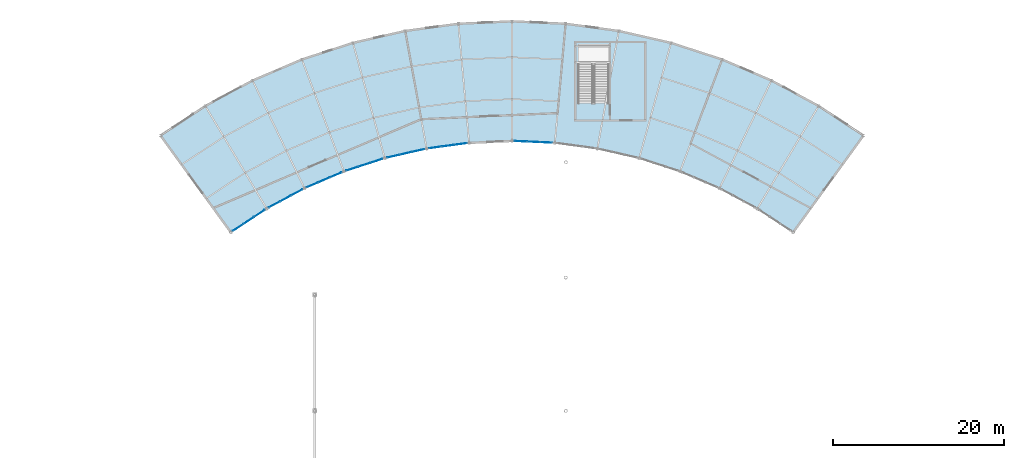
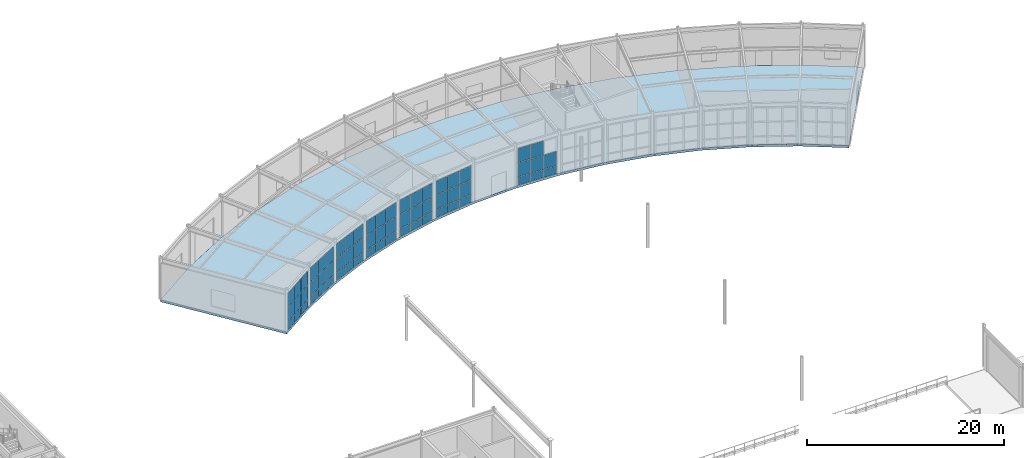
# One storey, part 58 of 87: 62 plates, 1 slab, 7 elements without a shape of their own.
"""IFC4 building model written with IfcOpenShell, lengths in metres."""

from ifc_helpers import new_model, si_unit, direction, frame, origin, origin_2d, place, context, subcontext, project, spatial, polyline, rectangle, outline, extrude, material, layer, layer_set, type_object, element, aggregate, save


model = new_model("IFC4")

# Units and contexts
model_context = context("Model", 3, precision=1e-05, world=origin(), true_north=direction((0.0, 1.0)))
body_context = subcontext(model_context, "Body", "Model", "MODEL_VIEW")
ifc_project = project(units=[si_unit("LENGTHUNIT", "METRE"), si_unit("AREAUNIT", "SQUARE_METRE"), si_unit("VOLUMEUNIT", "CUBIC_METRE"), si_unit("PLANEANGLEUNIT", "RADIAN"), si_unit("MASSUNIT", "GRAM", prefix="KILO")], contexts=[model_context])

# Site, building, storey
site_placement = place(None, origin())
site = spatial("IfcSite", under=ifc_project, at=site_placement, CompositionType="ELEMENT")
building_placement = place(site_placement, origin())
building = spatial("IfcBuilding", under=site, at=building_placement, Name="Selat Folded Stagehouse", CompositionType="ELEMENT")
storey_placement = place(building_placement, origin())
storey = spatial("IfcBuildingStorey", under=building, at=storey_placement, Name="L00", CompositionType="ELEMENT", Elevation=0.0)

# Curtain wall, plates
ifc_material_1 = material(Name="Aluminium 6063-T6", Category="aluminium")
ifc_layer_1 = layer(ifc_material_1, 0.18994140625)
ifc_layer_set_1 = layer_set([ifc_layer_1], Name="Aluminium 6063-T6")
curtain_wall_type = type_object("IfcCurtainWallType", Name="CW-REH-ARC", PredefinedType="NOTDEFINED", material=ifc_layer_set_1)
curtain_wall_1_placement = place(storey_placement, origin())
curtain_wall_1 = element("IfcCurtainWall", 1, at=curtain_wall_1_placement, inside=storey, type_object=curtain_wall_type, Name="L00 curtain wall CW-REH-L00-00", PredefinedType="NOTDEFINED")
ifc_material_2 = material(Name="Laminated low-E double glazing", Category="glass")
ifc_layer_2 = layer(ifc_material_2, 0.031982421875)
ifc_layer_set_2 = layer_set([ifc_layer_2], Name="Laminated low-E double glazing")
plate_type = type_object("IfcPlateType", Name="CWP-GLZ-DGU32", PredefinedType="CURTAIN_PANEL", material=ifc_layer_set_2)
plate_1_placement = place(storey_placement, frame((62.8271484375, 85.51171875, 0.06494140625), z_axis=(0.0, 0.0, 1.0), x_axis=(-0.834581363399, -0.550884695619, 0.0)))
plate_1 = element("IfcPlate", 2, at=plate_1_placement, type_object=plate_type, Name="CW-06 panel 1.1", PredefinedType="CURTAIN_PANEL", context=body_context, shape_type="SweptSolid", body=[
    extrude(rectangle(XDim=1.418212890625, YDim=0.031982421875, at=origin_2d()), origin(), (0.0, 0.0, 1.0), 0.952392578125),
])
plate_2_placement = place(storey_placement, frame((62.8271484375, 85.51171875, 1.08251953125), z_axis=(0.0, 0.0, 1.0), x_axis=(-0.834581363399, -0.550884695619, 0.0)))
plate_2 = element("IfcPlate", 3, at=plate_2_placement, type_object=plate_type, Name="CW-06 panel 1.2", PredefinedType="CURTAIN_PANEL", context=body_context, shape_type="SweptSolid", body=[
    extrude(rectangle(XDim=1.418212890625, YDim=0.031982421875, at=origin_2d()), origin(), (0.0, 0.0, 1.0), 1.735107421875),
])
plate_3_placement = place(storey_placement, frame((62.8271484375, 85.51171875, 2.88232421875), z_axis=(0.0, 0.0, 1.0), x_axis=(-0.834581363399, -0.550884695619, 0.0)))
plate_3 = element("IfcPlate", 4, at=plate_3_placement, type_object=plate_type, Name="CW-06 panel 1.3", PredefinedType="CURTAIN_PANEL", context=body_context, shape_type="SweptSolid", body=[
    extrude(rectangle(XDim=1.418212890625, YDim=0.031982421875, at=origin_2d()), origin(), (0.0, 0.0, 1.0), 1.702392578125),
])
plate_4_placement = place(storey_placement, frame((61.580810546875, 84.68896484375, 0.06494140625), z_axis=(0.0, 0.0, 1.0), x_axis=(-0.834581363399, -0.550884695619, 0.0)))
plate_4 = element("IfcPlate", 5, at=plate_4_placement, type_object=plate_type, Name="CW-06 panel 2.1", PredefinedType="CURTAIN_PANEL", context=body_context, shape_type="SweptSolid", body=[
    extrude(rectangle(XDim=1.4482421875, YDim=0.031982421875, at=origin_2d()), origin(), (0.0, 0.0, 1.0), 0.952392578125),
])
plate_5_placement = place(storey_placement, frame((61.580810546875, 84.68896484375, 1.08251953125), z_axis=(0.0, 0.0, 1.0), x_axis=(-0.834581363399, -0.550884695619, 0.0)))
plate_5 = element("IfcPlate", 6, at=plate_5_placement, type_object=plate_type, Name="CW-06 panel 2.2", PredefinedType="CURTAIN_PANEL", context=body_context, shape_type="SweptSolid", body=[
    extrude(rectangle(XDim=1.4482421875, YDim=0.031982421875, at=origin_2d()), origin(), (0.0, 0.0, 1.0), 1.735107421875),
])
plate_6_placement = place(storey_placement, frame((61.580810546875, 84.68896484375, 2.88232421875), z_axis=(0.0, 0.0, 1.0), x_axis=(-0.834581363399, -0.550884695619, 0.0)))
plate_6 = element("IfcPlate", 7, at=plate_6_placement, type_object=plate_type, Name="CW-06 panel 2.3", PredefinedType="CURTAIN_PANEL", context=body_context, shape_type="SweptSolid", body=[
    extrude(rectangle(XDim=1.4482421875, YDim=0.031982421875, at=origin_2d()), origin(), (0.0, 0.0, 1.0), 1.702392578125),
])
plate_7_placement = place(storey_placement, frame((60.33447265625, 83.866455078125, 0.06494140625), z_axis=(0.0, 0.0, 1.0), x_axis=(-0.834581363399, -0.550884695619, 0.0)))
plate_7 = element("IfcPlate", 8, at=plate_7_placement, type_object=plate_type, Name="CW-06 panel 3.1", PredefinedType="CURTAIN_PANEL", context=body_context, shape_type="SweptSolid", body=[
    extrude(rectangle(XDim=1.418212890625, YDim=0.031982421875, at=origin_2d()), origin(), (0.0, 0.0, 1.0), 0.952392578125),
])
plate_8_placement = place(storey_placement, frame((60.33447265625, 83.866455078125, 1.08251953125), z_axis=(0.0, 0.0, 1.0), x_axis=(-0.834581363399, -0.550884695619, 0.0)))
plate_8 = element("IfcPlate", 9, at=plate_8_placement, type_object=plate_type, Name="CW-06 panel 3.2", PredefinedType="CURTAIN_PANEL", context=body_context, shape_type="SweptSolid", body=[
    extrude(rectangle(XDim=1.418212890625, YDim=0.031982421875, at=origin_2d()), origin(), (0.0, 0.0, 1.0), 1.735107421875),
])
plate_9_placement = place(storey_placement, frame((60.33447265625, 83.866455078125, 2.88232421875), z_axis=(0.0, 0.0, 1.0), x_axis=(-0.834581363399, -0.550884695619, 0.0)))
plate_9 = element("IfcPlate", 10, at=plate_9_placement, type_object=plate_type, Name="CW-06 panel 3.3", PredefinedType="CURTAIN_PANEL", context=body_context, shape_type="SweptSolid", body=[
    extrude(rectangle(XDim=1.418212890625, YDim=0.031982421875, at=origin_2d()), origin(), (0.0, 0.0, 1.0), 1.702392578125),
])
aggregate(curtain_wall_1, [plate_1, plate_2, plate_3, plate_4, plate_5, plate_6, plate_7, plate_8, plate_9])

curtain_wall_2_placement = place(storey_placement, origin())
curtain_wall_2 = element("IfcCurtainWall", 11, at=curtain_wall_2_placement, inside=storey, type_object=curtain_wall_type, Name="L00 curtain wall CW-REH-L00-01", PredefinedType="NOTDEFINED")
plate_10_placement = place(storey_placement, frame((67.205078125, 87.971435546875, 0.06494140625), z_axis=(0.0, 0.0, 1.0), x_axis=(-0.880600927119, -0.473858636259, 0.0)))
plate_10 = element("IfcPlate", 12, at=plate_10_placement, type_object=plate_type, Name="CW-06 panel 1.1", PredefinedType="CURTAIN_PANEL", context=body_context, shape_type="SweptSolid", body=[
    extrude(rectangle(XDim=1.418212890625, YDim=0.031982421875, at=origin_2d()), origin(), (0.0, 0.0, 1.0), 0.952392578125),
])
plate_11_placement = place(storey_placement, frame((67.205078125, 87.971435546875, 1.08251953125), z_axis=(0.0, 0.0, 1.0), x_axis=(-0.880600927119, -0.473858636259, 0.0)))
plate_11 = element("IfcPlate", 13, at=plate_11_placement, type_object=plate_type, Name="CW-06 panel 1.2", PredefinedType="CURTAIN_PANEL", context=body_context, shape_type="SweptSolid", body=[
    extrude(rectangle(XDim=1.418212890625, YDim=0.031982421875, at=origin_2d()), origin(), (0.0, 0.0, 1.0), 1.735107421875),
])
plate_12_placement = place(storey_placement, frame((67.205078125, 87.971435546875, 2.88232421875), z_axis=(0.0, 0.0, 1.0), x_axis=(-0.880600927119, -0.473858636259, 0.0)))
plate_12 = element("IfcPlate", 14, at=plate_12_placement, type_object=plate_type, Name="CW-06 panel 1.3", PredefinedType="CURTAIN_PANEL", context=body_context, shape_type="SweptSolid", body=[
    extrude(rectangle(XDim=1.418212890625, YDim=0.031982421875, at=origin_2d()), origin(), (0.0, 0.0, 1.0), 1.702392578125),
])
plate_13_placement = place(storey_placement, frame((65.89013671875, 87.263671875, 0.06494140625), z_axis=(0.0, 0.0, 1.0), x_axis=(-0.880600927119, -0.473858636259, 0.0)))
plate_13 = element("IfcPlate", 15, at=plate_13_placement, type_object=plate_type, Name="CW-06 panel 2.1", PredefinedType="CURTAIN_PANEL", context=body_context, shape_type="SweptSolid", body=[
    extrude(rectangle(XDim=1.4482421875, YDim=0.031982421875, at=origin_2d()), origin(), (0.0, 0.0, 1.0), 0.952392578125),
])
plate_14_placement = place(storey_placement, frame((65.89013671875, 87.263671875, 1.08251953125), z_axis=(0.0, 0.0, 1.0), x_axis=(-0.880600927119, -0.473858636259, 0.0)))
plate_14 = element("IfcPlate", 16, at=plate_14_placement, type_object=plate_type, Name="CW-06 panel 2.2", PredefinedType="CURTAIN_PANEL", context=body_context, shape_type="SweptSolid", body=[
    extrude(rectangle(XDim=1.4482421875, YDim=0.031982421875, at=origin_2d()), origin(), (0.0, 0.0, 1.0), 1.735107421875),
])
plate_15_placement = place(storey_placement, frame((65.89013671875, 87.263671875, 2.88232421875), z_axis=(0.0, 0.0, 1.0), x_axis=(-0.880600927119, -0.473858636259, 0.0)))
plate_15 = element("IfcPlate", 17, at=plate_15_placement, type_object=plate_type, Name="CW-06 panel 2.3", PredefinedType="CURTAIN_PANEL", context=body_context, shape_type="SweptSolid", body=[
    extrude(rectangle(XDim=1.4482421875, YDim=0.031982421875, at=origin_2d()), origin(), (0.0, 0.0, 1.0), 1.702392578125),
])
plate_16_placement = place(storey_placement, frame((64.574951171875, 86.55615234375, 0.06494140625), z_axis=(0.0, 0.0, 1.0), x_axis=(-0.880600927119, -0.473858636259, 0.0)))
plate_16 = element("IfcPlate", 18, at=plate_16_placement, type_object=plate_type, Name="CW-06 panel 3.1", PredefinedType="CURTAIN_PANEL", context=body_context, shape_type="SweptSolid", body=[
    extrude(rectangle(XDim=1.418212890625, YDim=0.031982421875, at=origin_2d()), origin(), (0.0, 0.0, 1.0), 0.952392578125),
])
plate_17_placement = place(storey_placement, frame((64.574951171875, 86.55615234375, 1.08251953125), z_axis=(0.0, 0.0, 1.0), x_axis=(-0.880600927119, -0.473858636259, 0.0)))
plate_17 = element("IfcPlate", 19, at=plate_17_placement, type_object=plate_type, Name="CW-06 panel 3.2", PredefinedType="CURTAIN_PANEL", context=body_context, shape_type="SweptSolid", body=[
    extrude(rectangle(XDim=1.418212890625, YDim=0.031982421875, at=origin_2d()), origin(), (0.0, 0.0, 1.0), 1.735107421875),
])
plate_18_placement = place(storey_placement, frame((64.574951171875, 86.55615234375, 2.88232421875), z_axis=(0.0, 0.0, 1.0), x_axis=(-0.880600927119, -0.473858636259, 0.0)))
plate_18 = element("IfcPlate", 20, at=plate_18_placement, type_object=plate_type, Name="CW-06 panel 3.3", PredefinedType="CURTAIN_PANEL", context=body_context, shape_type="SweptSolid", body=[
    extrude(rectangle(XDim=1.418212890625, YDim=0.031982421875, at=origin_2d()), origin(), (0.0, 0.0, 1.0), 1.702392578125),
])
aggregate(curtain_wall_2, [plate_10, plate_11, plate_12, plate_13, plate_14, plate_15, plate_16, plate_17, plate_18])

curtain_wall_3_placement = place(storey_placement, origin())
curtain_wall_3 = element("IfcCurtainWall", 21, at=curtain_wall_3_placement, inside=storey, type_object=curtain_wall_type, Name="L00 curtain wall CW-REH-L00-02", PredefinedType="NOTDEFINED")
plate_19_placement = place(storey_placement, frame((71.785888671875, 90.028564453125, 0.06494140625), z_axis=(0.0, 0.0, 1.0), x_axis=(-0.919533245639, -0.393012226483, 0.0)))
plate_19 = element("IfcPlate", 22, at=plate_19_placement, type_object=plate_type, Name="CW-06 panel 1.1", PredefinedType="CURTAIN_PANEL", context=body_context, shape_type="SweptSolid", body=[
    extrude(rectangle(XDim=1.418212890625, YDim=0.031982421875, at=origin_2d()), origin(), (0.0, 0.0, 1.0), 0.952392578125),
])
plate_20_placement = place(storey_placement, frame((71.785888671875, 90.028564453125, 1.08251953125), z_axis=(0.0, 0.0, 1.0), x_axis=(-0.919533245639, -0.393012226483, 0.0)))
plate_20 = element("IfcPlate", 23, at=plate_20_placement, type_object=plate_type, Name="CW-06 panel 1.2", PredefinedType="CURTAIN_PANEL", context=body_context, shape_type="SweptSolid", body=[
    extrude(rectangle(XDim=1.418212890625, YDim=0.031982421875, at=origin_2d()), origin(), (0.0, 0.0, 1.0), 1.735107421875),
])
plate_21_placement = place(storey_placement, frame((71.785888671875, 90.028564453125, 2.88232421875), z_axis=(0.0, 0.0, 1.0), x_axis=(-0.919533245639, -0.393012226483, 0.0)))
plate_21 = element("IfcPlate", 24, at=plate_21_placement, type_object=plate_type, Name="CW-06 panel 1.3", PredefinedType="CURTAIN_PANEL", context=body_context, shape_type="SweptSolid", body=[
    extrude(rectangle(XDim=1.418212890625, YDim=0.031982421875, at=origin_2d()), origin(), (0.0, 0.0, 1.0), 1.702392578125),
])
plate_22_placement = place(storey_placement, frame((70.412841796875, 89.441650390625, 0.06494140625), z_axis=(0.0, 0.0, 1.0), x_axis=(-0.919533245639, -0.393012226483, 0.0)))
plate_22 = element("IfcPlate", 25, at=plate_22_placement, type_object=plate_type, Name="CW-06 panel 2.1", PredefinedType="CURTAIN_PANEL", context=body_context, shape_type="SweptSolid", body=[
    extrude(rectangle(XDim=1.4482421875, YDim=0.031982421875, at=origin_2d()), origin(), (0.0, 0.0, 1.0), 0.952392578125),
])
plate_23_placement = place(storey_placement, frame((70.412841796875, 89.441650390625, 1.08251953125), z_axis=(0.0, 0.0, 1.0), x_axis=(-0.919533245639, -0.393012226483, 0.0)))
plate_23 = element("IfcPlate", 26, at=plate_23_placement, type_object=plate_type, Name="CW-06 panel 2.2", PredefinedType="CURTAIN_PANEL", context=body_context, shape_type="SweptSolid", body=[
    extrude(rectangle(XDim=1.4482421875, YDim=0.031982421875, at=origin_2d()), origin(), (0.0, 0.0, 1.0), 1.735107421875),
])
plate_24_placement = place(storey_placement, frame((70.412841796875, 89.441650390625, 2.88232421875), z_axis=(0.0, 0.0, 1.0), x_axis=(-0.919533245639, -0.393012226483, 0.0)))
plate_24 = element("IfcPlate", 27, at=plate_24_placement, type_object=plate_type, Name="CW-06 panel 2.3", PredefinedType="CURTAIN_PANEL", context=body_context, shape_type="SweptSolid", body=[
    extrude(rectangle(XDim=1.4482421875, YDim=0.031982421875, at=origin_2d()), origin(), (0.0, 0.0, 1.0), 1.702392578125),
])
plate_25_placement = place(storey_placement, frame((69.03955078125, 88.85498046875, 0.06494140625), z_axis=(0.0, 0.0, 1.0), x_axis=(-0.919533245639, -0.393012226483, 0.0)))
plate_25 = element("IfcPlate", 28, at=plate_25_placement, type_object=plate_type, Name="CW-06 panel 3.1", PredefinedType="CURTAIN_PANEL", context=body_context, shape_type="SweptSolid", body=[
    extrude(rectangle(XDim=1.418212890625, YDim=0.031982421875, at=origin_2d()), origin(), (0.0, 0.0, 1.0), 0.952392578125),
])
plate_26_placement = place(storey_placement, frame((69.03955078125, 88.85498046875, 1.08251953125), z_axis=(0.0, 0.0, 1.0), x_axis=(-0.919533245639, -0.393012226483, 0.0)))
plate_26 = element("IfcPlate", 29, at=plate_26_placement, type_object=plate_type, Name="CW-06 panel 3.2", PredefinedType="CURTAIN_PANEL", context=body_context, shape_type="SweptSolid", body=[
    extrude(rectangle(XDim=1.418212890625, YDim=0.031982421875, at=origin_2d()), origin(), (0.0, 0.0, 1.0), 1.735107421875),
])
plate_27_placement = place(storey_placement, frame((69.03955078125, 88.85498046875, 2.88232421875), z_axis=(0.0, 0.0, 1.0), x_axis=(-0.919533245639, -0.393012226483, 0.0)))
plate_27 = element("IfcPlate", 30, at=plate_27_placement, type_object=plate_type, Name="CW-06 panel 3.3", PredefinedType="CURTAIN_PANEL", context=body_context, shape_type="SweptSolid", body=[
    extrude(rectangle(XDim=1.418212890625, YDim=0.031982421875, at=origin_2d()), origin(), (0.0, 0.0, 1.0), 1.702392578125),
])
aggregate(curtain_wall_3, [plate_19, plate_20, plate_21, plate_22, plate_23, plate_24, plate_25, plate_26, plate_27])

curtain_wall_4_placement = place(storey_placement, origin())
curtain_wall_4 = element("IfcCurtainWall", 31, at=curtain_wall_4_placement, inside=storey, type_object=curtain_wall_type, Name="L00 curtain wall CW-REH-L00-03", PredefinedType="NOTDEFINED")
plate_28_placement = place(storey_placement, frame((76.53271484375, 91.6669921875, 0.06494140625), z_axis=(0.0, 0.0, 1.0), x_axis=(-0.951064760323, -0.308991620714, 0.0)))
plate_28 = element("IfcPlate", 32, at=plate_28_placement, type_object=plate_type, Name="CW-06 panel 1.1", PredefinedType="CURTAIN_PANEL", context=body_context, shape_type="SweptSolid", body=[
    extrude(rectangle(XDim=1.418212890625, YDim=0.031982421875, at=origin_2d()), origin(), (0.0, 0.0, 1.0), 0.952392578125),
])
plate_29_placement = place(storey_placement, frame((76.53271484375, 91.6669921875, 1.08251953125), z_axis=(0.0, 0.0, 1.0), x_axis=(-0.951064760323, -0.308991620714, 0.0)))
plate_29 = element("IfcPlate", 33, at=plate_29_placement, type_object=plate_type, Name="CW-06 panel 1.2", PredefinedType="CURTAIN_PANEL", context=body_context, shape_type="SweptSolid", body=[
    extrude(rectangle(XDim=1.418212890625, YDim=0.031982421875, at=origin_2d()), origin(), (0.0, 0.0, 1.0), 1.735107421875),
])
plate_30_placement = place(storey_placement, frame((76.53271484375, 91.6669921875, 2.88232421875), z_axis=(0.0, 0.0, 1.0), x_axis=(-0.951064760323, -0.308991620714, 0.0)))
plate_30 = element("IfcPlate", 34, at=plate_30_placement, type_object=plate_type, Name="CW-06 panel 1.3", PredefinedType="CURTAIN_PANEL", context=body_context, shape_type="SweptSolid", body=[
    extrude(rectangle(XDim=1.418212890625, YDim=0.031982421875, at=origin_2d()), origin(), (0.0, 0.0, 1.0), 1.702392578125),
])
plate_31_placement = place(storey_placement, frame((75.112548828125, 91.20556640625, 0.06494140625), z_axis=(0.0, 0.0, 1.0), x_axis=(-0.951064760323, -0.308991620714, 0.0)))
plate_31 = element("IfcPlate", 35, at=plate_31_placement, type_object=plate_type, Name="CW-06 panel 2.1", PredefinedType="CURTAIN_PANEL", context=body_context, shape_type="SweptSolid", body=[
    extrude(rectangle(XDim=1.4482421875, YDim=0.031982421875, at=origin_2d()), origin(), (0.0, 0.0, 1.0), 0.952392578125),
])
plate_32_placement = place(storey_placement, frame((75.112548828125, 91.20556640625, 1.08251953125), z_axis=(0.0, 0.0, 1.0), x_axis=(-0.951064760323, -0.308991620714, 0.0)))
plate_32 = element("IfcPlate", 36, at=plate_32_placement, type_object=plate_type, Name="CW-06 panel 2.2", PredefinedType="CURTAIN_PANEL", context=body_context, shape_type="SweptSolid", body=[
    extrude(rectangle(XDim=1.4482421875, YDim=0.031982421875, at=origin_2d()), origin(), (0.0, 0.0, 1.0), 1.735107421875),
])
plate_33_placement = place(storey_placement, frame((75.112548828125, 91.20556640625, 2.88232421875), z_axis=(0.0, 0.0, 1.0), x_axis=(-0.951064760323, -0.308991620714, 0.0)))
plate_33 = element("IfcPlate", 37, at=plate_33_placement, type_object=plate_type, Name="CW-06 panel 2.3", PredefinedType="CURTAIN_PANEL", context=body_context, shape_type="SweptSolid", body=[
    extrude(rectangle(XDim=1.4482421875, YDim=0.031982421875, at=origin_2d()), origin(), (0.0, 0.0, 1.0), 1.702392578125),
])
plate_34_placement = place(storey_placement, frame((73.6923828125, 90.744140625, 0.06494140625), z_axis=(0.0, 0.0, 1.0), x_axis=(-0.951064760323, -0.308991620714, 0.0)))
plate_34 = element("IfcPlate", 38, at=plate_34_placement, type_object=plate_type, Name="CW-06 panel 3.1", PredefinedType="CURTAIN_PANEL", context=body_context, shape_type="SweptSolid", body=[
    extrude(rectangle(XDim=1.418212890625, YDim=0.031982421875, at=origin_2d()), origin(), (0.0, 0.0, 1.0), 0.952392578125),
])
plate_35_placement = place(storey_placement, frame((73.6923828125, 90.744140625, 1.08251953125), z_axis=(0.0, 0.0, 1.0), x_axis=(-0.951064760323, -0.308991620714, 0.0)))
plate_35 = element("IfcPlate", 39, at=plate_35_placement, type_object=plate_type, Name="CW-06 panel 3.2", PredefinedType="CURTAIN_PANEL", context=body_context, shape_type="SweptSolid", body=[
    extrude(rectangle(XDim=1.418212890625, YDim=0.031982421875, at=origin_2d()), origin(), (0.0, 0.0, 1.0), 1.735107421875),
])
plate_36_placement = place(storey_placement, frame((73.6923828125, 90.744140625, 2.88232421875), z_axis=(0.0, 0.0, 1.0), x_axis=(-0.951064760323, -0.308991620714, 0.0)))
plate_36 = element("IfcPlate", 40, at=plate_36_placement, type_object=plate_type, Name="CW-06 panel 3.3", PredefinedType="CURTAIN_PANEL", context=body_context, shape_type="SweptSolid", body=[
    extrude(rectangle(XDim=1.418212890625, YDim=0.031982421875, at=origin_2d()), origin(), (0.0, 0.0, 1.0), 1.702392578125),
])
aggregate(curtain_wall_4, [plate_28, plate_29, plate_30, plate_31, plate_32, plate_33, plate_34, plate_35, plate_36])

curtain_wall_5_placement = place(storey_placement, origin())
curtain_wall_5 = element("IfcCurtainWall", 41, at=curtain_wall_5_placement, inside=storey, type_object=curtain_wall_type, Name="L00 curtain wall CW-REH-L00-04", PredefinedType="NOTDEFINED")
plate_37_placement = place(storey_placement, frame((81.4072265625, 92.873291015625, 0.06494140625), z_axis=(0.0, 0.0, 1.0), x_axis=(-0.974922930026, -0.222542761079, 0.0)))
plate_37 = element("IfcPlate", 42, at=plate_37_placement, type_object=plate_type, Name="CW-06 panel 1.1", PredefinedType="CURTAIN_PANEL", context=body_context, shape_type="SweptSolid", body=[
    extrude(rectangle(XDim=1.418212890625, YDim=0.031982421875, at=origin_2d()), origin(), (0.0, 0.0, 1.0), 0.952392578125),
])
plate_38_placement = place(storey_placement, frame((81.4072265625, 92.873291015625, 1.08251953125), z_axis=(0.0, 0.0, 1.0), x_axis=(-0.974922930026, -0.222542761079, 0.0)))
plate_38 = element("IfcPlate", 43, at=plate_38_placement, type_object=plate_type, Name="CW-06 panel 1.2", PredefinedType="CURTAIN_PANEL", context=body_context, shape_type="SweptSolid", body=[
    extrude(rectangle(XDim=1.418212890625, YDim=0.031982421875, at=origin_2d()), origin(), (0.0, 0.0, 1.0), 1.735107421875),
])
plate_39_placement = place(storey_placement, frame((81.4072265625, 92.873291015625, 2.88232421875), z_axis=(0.0, 0.0, 1.0), x_axis=(-0.974922930026, -0.222542761079, 0.0)))
plate_39 = element("IfcPlate", 44, at=plate_39_placement, type_object=plate_type, Name="CW-06 panel 1.3", PredefinedType="CURTAIN_PANEL", context=body_context, shape_type="SweptSolid", body=[
    extrude(rectangle(XDim=1.418212890625, YDim=0.031982421875, at=origin_2d()), origin(), (0.0, 0.0, 1.0), 1.702392578125),
])
plate_40_placement = place(storey_placement, frame((79.951416015625, 92.541015625, 0.06494140625), z_axis=(0.0, 0.0, 1.0), x_axis=(-0.974922930026, -0.222542761079, 0.0)))
plate_40 = element("IfcPlate", 45, at=plate_40_placement, type_object=plate_type, Name="CW-06 panel 2.1", PredefinedType="CURTAIN_PANEL", context=body_context, shape_type="SweptSolid", body=[
    extrude(rectangle(XDim=1.4482421875, YDim=0.031982421875, at=origin_2d()), origin(), (0.0, 0.0, 1.0), 0.952392578125),
])
plate_41_placement = place(storey_placement, frame((79.951416015625, 92.541015625, 1.08251953125), z_axis=(0.0, 0.0, 1.0), x_axis=(-0.974922930026, -0.222542761079, 0.0)))
plate_41 = element("IfcPlate", 46, at=plate_41_placement, type_object=plate_type, Name="CW-06 panel 2.2", PredefinedType="CURTAIN_PANEL", context=body_context, shape_type="SweptSolid", body=[
    extrude(rectangle(XDim=1.4482421875, YDim=0.031982421875, at=origin_2d()), origin(), (0.0, 0.0, 1.0), 1.735107421875),
])
plate_42_placement = place(storey_placement, frame((79.951416015625, 92.541015625, 2.88232421875), z_axis=(0.0, 0.0, 1.0), x_axis=(-0.974922930026, -0.222542761079, 0.0)))
plate_42 = element("IfcPlate", 47, at=plate_42_placement, type_object=plate_type, Name="CW-06 panel 2.3", PredefinedType="CURTAIN_PANEL", context=body_context, shape_type="SweptSolid", body=[
    extrude(rectangle(XDim=1.4482421875, YDim=0.031982421875, at=origin_2d()), origin(), (0.0, 0.0, 1.0), 1.702392578125),
])
plate_43_placement = place(storey_placement, frame((78.495361328125, 92.208740234375, 0.06494140625), z_axis=(0.0, 0.0, 1.0), x_axis=(-0.974922930026, -0.222542761079, 0.0)))
plate_43 = element("IfcPlate", 48, at=plate_43_placement, type_object=plate_type, Name="CW-06 panel 3.1", PredefinedType="CURTAIN_PANEL", context=body_context, shape_type="SweptSolid", body=[
    extrude(rectangle(XDim=1.418212890625, YDim=0.031982421875, at=origin_2d()), origin(), (0.0, 0.0, 1.0), 0.952392578125),
])
plate_44_placement = place(storey_placement, frame((78.495361328125, 92.208740234375, 1.08251953125), z_axis=(0.0, 0.0, 1.0), x_axis=(-0.974922930026, -0.222542761079, 0.0)))
plate_44 = element("IfcPlate", 49, at=plate_44_placement, type_object=plate_type, Name="CW-06 panel 3.2", PredefinedType="CURTAIN_PANEL", context=body_context, shape_type="SweptSolid", body=[
    extrude(rectangle(XDim=1.418212890625, YDim=0.031982421875, at=origin_2d()), origin(), (0.0, 0.0, 1.0), 1.735107421875),
])
plate_45_placement = place(storey_placement, frame((78.495361328125, 92.208740234375, 2.88232421875), z_axis=(0.0, 0.0, 1.0), x_axis=(-0.974922930026, -0.222542761079, 0.0)))
plate_45 = element("IfcPlate", 50, at=plate_45_placement, type_object=plate_type, Name="CW-06 panel 3.3", PredefinedType="CURTAIN_PANEL", context=body_context, shape_type="SweptSolid", body=[
    extrude(rectangle(XDim=1.418212890625, YDim=0.031982421875, at=origin_2d()), origin(), (0.0, 0.0, 1.0), 1.702392578125),
])
aggregate(curtain_wall_5, [plate_37, plate_38, plate_39, plate_40, plate_41, plate_42, plate_43, plate_44, plate_45])

curtain_wall_6_placement = place(storey_placement, origin())
curtain_wall_6 = element("IfcCurtainWall", 51, at=curtain_wall_6_placement, inside=storey, type_object=curtain_wall_type, Name="L00 curtain wall CW-REH-L00-05", PredefinedType="NOTDEFINED")
plate_46_placement = place(storey_placement, frame((86.370361328125, 93.6376953125, 0.06494140625), z_axis=(0.0, 0.0, 1.0), x_axis=(-0.990952673876, -0.134211766018, 0.0)))
plate_46 = element("IfcPlate", 52, at=plate_46_placement, type_object=plate_type, Name="CW-06 panel 1.1", PredefinedType="CURTAIN_PANEL", context=body_context, shape_type="SweptSolid", body=[
    extrude(rectangle(XDim=1.418212890625, YDim=0.031982421875, at=origin_2d()), origin(), (0.0, 0.0, 1.0), 0.952392578125),
])
plate_47_placement = place(storey_placement, frame((86.370361328125, 93.6376953125, 1.08251953125), z_axis=(0.0, 0.0, 1.0), x_axis=(-0.990952673876, -0.134211766018, 0.0)))
plate_47 = element("IfcPlate", 53, at=plate_47_placement, type_object=plate_type, Name="CW-06 panel 1.2", PredefinedType="CURTAIN_PANEL", context=body_context, shape_type="SweptSolid", body=[
    extrude(rectangle(XDim=1.418212890625, YDim=0.031982421875, at=origin_2d()), origin(), (0.0, 0.0, 1.0), 1.735107421875),
])
plate_48_placement = place(storey_placement, frame((86.370361328125, 93.6376953125, 2.88232421875), z_axis=(0.0, 0.0, 1.0), x_axis=(-0.990952673876, -0.134211766018, 0.0)))
plate_48 = element("IfcPlate", 54, at=plate_48_placement, type_object=plate_type, Name="CW-06 panel 1.3", PredefinedType="CURTAIN_PANEL", context=body_context, shape_type="SweptSolid", body=[
    extrude(rectangle(XDim=1.418212890625, YDim=0.031982421875, at=origin_2d()), origin(), (0.0, 0.0, 1.0), 1.702392578125),
])
plate_49_placement = place(storey_placement, frame((84.890380859375, 93.437255859375, 0.06494140625), z_axis=(0.0, 0.0, 1.0), x_axis=(-0.990952673876, -0.134211766018, 0.0)))
plate_49 = element("IfcPlate", 55, at=plate_49_placement, type_object=plate_type, Name="CW-06 panel 2.1", PredefinedType="CURTAIN_PANEL", context=body_context, shape_type="SweptSolid", body=[
    extrude(rectangle(XDim=1.4482421875, YDim=0.031982421875, at=origin_2d()), origin(), (0.0, 0.0, 1.0), 0.952392578125),
])
plate_50_placement = place(storey_placement, frame((84.890380859375, 93.437255859375, 1.08251953125), z_axis=(0.0, 0.0, 1.0), x_axis=(-0.990952673876, -0.134211766018, 0.0)))
plate_50 = element("IfcPlate", 56, at=plate_50_placement, type_object=plate_type, Name="CW-06 panel 2.2", PredefinedType="CURTAIN_PANEL", context=body_context, shape_type="SweptSolid", body=[
    extrude(rectangle(XDim=1.4482421875, YDim=0.031982421875, at=origin_2d()), origin(), (0.0, 0.0, 1.0), 1.735107421875),
])
plate_51_placement = place(storey_placement, frame((84.890380859375, 93.437255859375, 2.88232421875), z_axis=(0.0, 0.0, 1.0), x_axis=(-0.990952673876, -0.134211766018, 0.0)))
plate_51 = element("IfcPlate", 57, at=plate_51_placement, type_object=plate_type, Name="CW-06 panel 2.3", PredefinedType="CURTAIN_PANEL", context=body_context, shape_type="SweptSolid", body=[
    extrude(rectangle(XDim=1.4482421875, YDim=0.031982421875, at=origin_2d()), origin(), (0.0, 0.0, 1.0), 1.702392578125),
])
plate_52_placement = place(storey_placement, frame((83.41064453125, 93.23681640625, 0.06494140625), z_axis=(0.0, 0.0, 1.0), x_axis=(-0.990952673876, -0.134211766018, 0.0)))
plate_52 = element("IfcPlate", 58, at=plate_52_placement, type_object=plate_type, Name="CW-06 panel 3.1", PredefinedType="CURTAIN_PANEL", context=body_context, shape_type="SweptSolid", body=[
    extrude(rectangle(XDim=1.418212890625, YDim=0.031982421875, at=origin_2d()), origin(), (0.0, 0.0, 1.0), 0.952392578125),
])
plate_53_placement = place(storey_placement, frame((83.41064453125, 93.23681640625, 1.08251953125), z_axis=(0.0, 0.0, 1.0), x_axis=(-0.990952673876, -0.134211766018, 0.0)))
plate_53 = element("IfcPlate", 59, at=plate_53_placement, type_object=plate_type, Name="CW-06 panel 3.2", PredefinedType="CURTAIN_PANEL", context=body_context, shape_type="SweptSolid", body=[
    extrude(rectangle(XDim=1.418212890625, YDim=0.031982421875, at=origin_2d()), origin(), (0.0, 0.0, 1.0), 1.735107421875),
])
plate_54_placement = place(storey_placement, frame((83.41064453125, 93.23681640625, 2.88232421875), z_axis=(0.0, 0.0, 1.0), x_axis=(-0.990952673876, -0.134211766018, 0.0)))
plate_54 = element("IfcPlate", 60, at=plate_54_placement, type_object=plate_type, Name="CW-06 panel 3.3", PredefinedType="CURTAIN_PANEL", context=body_context, shape_type="SweptSolid", body=[
    extrude(rectangle(XDim=1.418212890625, YDim=0.031982421875, at=origin_2d()), origin(), (0.0, 0.0, 1.0), 1.702392578125),
])
aggregate(curtain_wall_6, [plate_46, plate_47, plate_48, plate_49, plate_50, plate_51, plate_52, plate_53, plate_54])

curtain_wall_7_placement = place(storey_placement, origin())
curtain_wall_7 = element("IfcCurtainWall", 61, at=curtain_wall_7_placement, inside=storey, type_object=curtain_wall_type, Name="L00 curtain wall CW-REH-L00-07", PredefinedType="NOTDEFINED")
plate_55_placement = place(storey_placement, frame((96.401611328125, 93.8203125, 0.06494140625), z_axis=(0.0, 0.0, 1.0), x_axis=(-0.998993179436, 0.044862316478, 0.0)))
plate_55 = element("IfcPlate", 62, at=plate_55_placement, type_object=plate_type, Name="CW-06 panel 1.1", PredefinedType="CURTAIN_PANEL", context=body_context, shape_type="SweptSolid", body=[
    extrude(rectangle(XDim=1.418212890625, YDim=0.031982421875, at=origin_2d()), origin(), (0.0, 0.0, 1.0), 0.952392578125),
])
plate_56_placement = place(storey_placement, frame((96.401611328125, 93.8203125, 1.08251953125), z_axis=(0.0, 0.0, 1.0), x_axis=(-0.998993179436, 0.044862316478, 0.0)))
plate_56 = element("IfcPlate", 63, at=plate_56_placement, type_object=plate_type, Name="CW-06 panel 1.2", PredefinedType="CURTAIN_PANEL", context=body_context, shape_type="SweptSolid", body=[
    extrude(rectangle(XDim=1.418212890625, YDim=0.031982421875, at=origin_2d()), origin(), (0.0, 0.0, 1.0), 1.735107421875),
])
plate_57_placement = place(storey_placement, frame((94.909912109375, 93.88720703125, 0.06494140625), z_axis=(0.0, 0.0, 1.0), x_axis=(-0.998993179436, 0.044862316478, 0.0)))
plate_57 = element("IfcPlate", 64, at=plate_57_placement, type_object=plate_type, Name="CW-06 panel 2.1", PredefinedType="CURTAIN_PANEL", context=body_context, shape_type="SweptSolid", body=[
    extrude(rectangle(XDim=1.4482421875, YDim=0.031982421875, at=origin_2d()), origin(), (0.0, 0.0, 1.0), 0.952392578125),
])
plate_58_placement = place(storey_placement, frame((94.909912109375, 93.88720703125, 1.08251953125), z_axis=(0.0, 0.0, 1.0), x_axis=(-0.998993179436, 0.044862316478, 0.0)))
plate_58 = element("IfcPlate", 65, at=plate_58_placement, type_object=plate_type, Name="CW-06 panel 2.2", PredefinedType="CURTAIN_PANEL", context=body_context, shape_type="SweptSolid", body=[
    extrude(rectangle(XDim=1.4482421875, YDim=0.031982421875, at=origin_2d()), origin(), (0.0, 0.0, 1.0), 1.735107421875),
])
plate_59_placement = place(storey_placement, frame((94.909912109375, 93.88720703125, 2.88232421875), z_axis=(0.0, 0.0, 1.0), x_axis=(-0.998993179436, 0.044862316478, 0.0)))
plate_59 = element("IfcPlate", 66, at=plate_59_placement, type_object=plate_type, Name="CW-06 panel 2.3", PredefinedType="CURTAIN_PANEL", context=body_context, shape_type="SweptSolid", body=[
    extrude(rectangle(XDim=1.4482421875, YDim=0.031982421875, at=origin_2d()), origin(), (0.0, 0.0, 1.0), 1.702392578125),
])
plate_60_placement = place(storey_placement, frame((93.41796875, 93.954345703125, 0.06494140625), z_axis=(0.0, 0.0, 1.0), x_axis=(-0.998993179436, 0.044862316478, 0.0)))
plate_60 = element("IfcPlate", 67, at=plate_60_placement, type_object=plate_type, Name="CW-06 panel 3.1", PredefinedType="CURTAIN_PANEL", context=body_context, shape_type="SweptSolid", body=[
    extrude(rectangle(XDim=1.418212890625, YDim=0.031982421875, at=origin_2d()), origin(), (0.0, 0.0, 1.0), 0.952392578125),
])
plate_61_placement = place(storey_placement, frame((93.41796875, 93.954345703125, 1.08251953125), z_axis=(0.0, 0.0, 1.0), x_axis=(-0.998993179436, 0.044862316478, 0.0)))
plate_61 = element("IfcPlate", 68, at=plate_61_placement, type_object=plate_type, Name="CW-06 panel 3.2", PredefinedType="CURTAIN_PANEL", context=body_context, shape_type="SweptSolid", body=[
    extrude(rectangle(XDim=1.418212890625, YDim=0.031982421875, at=origin_2d()), origin(), (0.0, 0.0, 1.0), 1.735107421875),
])
plate_62_placement = place(storey_placement, frame((93.41796875, 93.954345703125, 2.88232421875), z_axis=(0.0, 0.0, 1.0), x_axis=(-0.998993179436, 0.044862316478, 0.0)))
plate_62 = element("IfcPlate", 69, at=plate_62_placement, type_object=plate_type, Name="CW-06 panel 3.3", PredefinedType="CURTAIN_PANEL", context=body_context, shape_type="SweptSolid", body=[
    extrude(rectangle(XDim=1.418212890625, YDim=0.031982421875, at=origin_2d()), origin(), (0.0, 0.0, 1.0), 1.702392578125),
])
aggregate(curtain_wall_7, [plate_55, plate_56, plate_57, plate_58, plate_59, plate_60, plate_61, plate_62])

# Slab
ifc_material_3 = material(Name="Concrete C40/50", Category="concrete")
ifc_layer_3 = layer(ifc_material_3, 0.260009765625)
ifc_layer_set_3 = layer_set([ifc_layer_3], Name="Concrete C40/50")
slab_type = type_object("IfcSlabType", Name="SLAB-FLR-260-WKSHP", PredefinedType="FLOOR", material=ifc_layer_set_3)
slab_placement = place(storey_placement, frame((0.0, 0.0, -0.260009765625)))
element("IfcSlab", 70, at=slab_placement, inside=storey, type_object=slab_type, Name="L00 V6 floor slab SL-L00-V6", PredefinedType="FLOOR", context=body_context, shape_type="SweptSolid", body=[
    extrude(outline(polyline([(59.48388671875, 83.304931640625), (63.677490234375, 86.072998046875), (68.1025390625, 88.454345703125), (72.722900390625, 90.42919921875), (77.501953125, 91.98193359375), (82.40087890625, 93.10009765625), (87.380126953125, 93.774658203125), (92.39990234375, 94.0), (97.419921875, 93.774658203125), (102.399169921875, 93.10009765625), (107.298095703125, 91.98193359375), (112.076904296875, 90.42919921875), (116.697509765625, 88.454345703125), (121.122314453125, 86.072998046875), (125.31591796875, 83.304931640625), (133.544921875, 94.631103515625), (128.302978515625, 98.09130859375), (122.77197265625, 101.06787109375), (116.99609375, 103.536376953125), (111.022705078125, 105.477294921875), (104.89892578125, 106.875), (98.6748046875, 107.71826171875), (92.39990234375, 108.0), (86.125244140625, 107.71826171875), (79.90087890625, 106.875), (73.77734375, 105.477294921875), (67.8037109375, 103.536376953125), (62.028076171875, 101.06787109375), (56.4970703125, 98.09130859375), (51.2548828125, 94.631103515625), (59.48388671875, 83.304931640625)])), origin(), (0.0, 0.0, 1.0), 0.260009765625),
])

save(model, "model.ifc")
